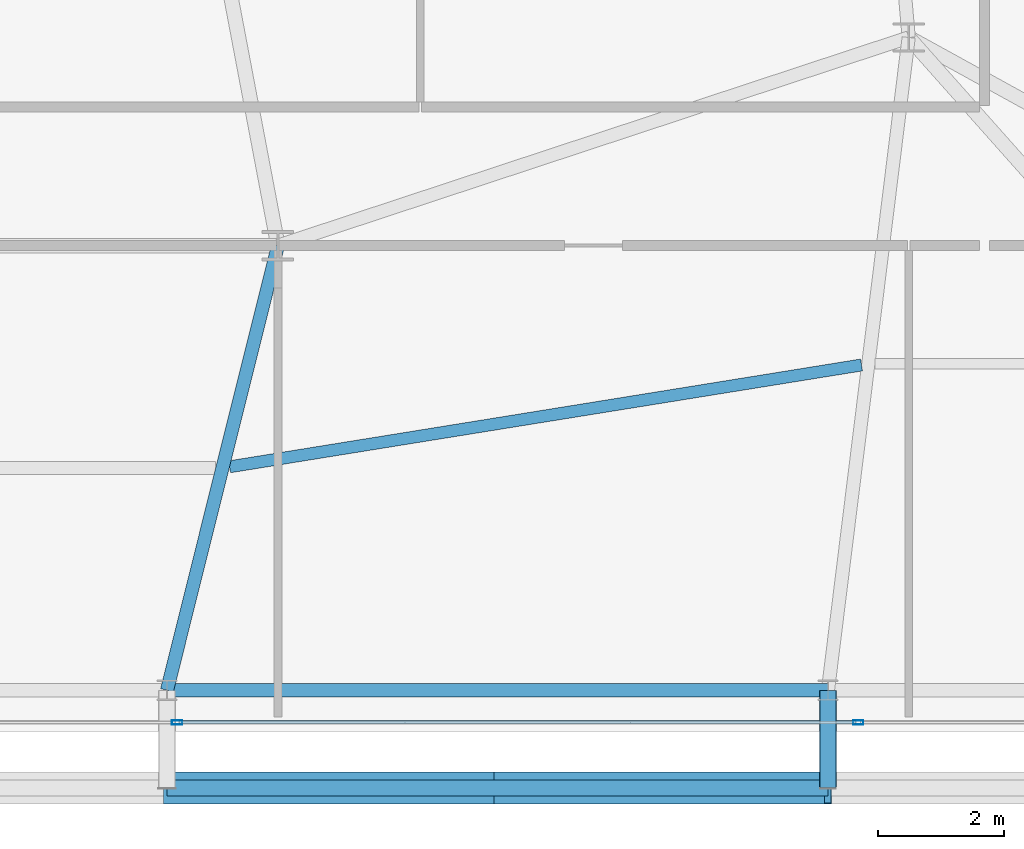
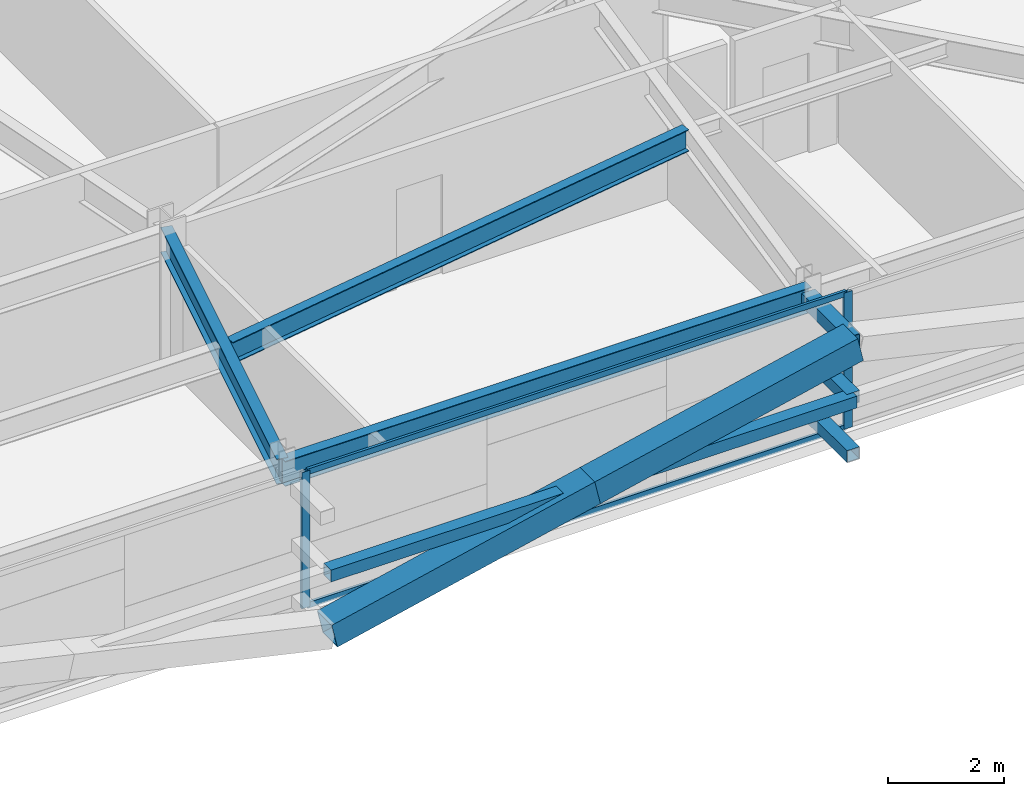
# One storey, part 13 of 45: 10 members, 3 beams, 1 element without a shape of its own.
"""IFC4 building model written with IfcOpenShell, lengths in metres."""

from ifc_helpers import new_model, si_unit, direction, frame, origin, origin_2d, place, context, subcontext, project, spatial, hollow_rectangle, i_section, extrude, source, transform, mapped, material, layer, layer_set, material_profile, profile_set, type_object, element, aggregate, save


model = new_model("IFC4")

# Units and contexts
model_context = context("Model", 3, precision=1e-05, world=origin(), true_north=direction((0.0, 1.0)))
body_context = subcontext(model_context, "Body", "Model", "MODEL_VIEW")
ifc_project = project(units=[si_unit("LENGTHUNIT", "METRE"), si_unit("AREAUNIT", "SQUARE_METRE"), si_unit("VOLUMEUNIT", "CUBIC_METRE"), si_unit("PLANEANGLEUNIT", "RADIAN"), si_unit("MASSUNIT", "GRAM", prefix="KILO")], contexts=[model_context])

# Site, building, storey
site_placement = place(None, origin())
site = spatial("IfcSite", under=ifc_project, at=site_placement, CompositionType="ELEMENT")
building_placement = place(site_placement, origin())
building = spatial("IfcBuilding", under=site, at=building_placement, Name="Taldren Reach Tower", CompositionType="ELEMENT")
storey_placement = place(building_placement, frame((0.0, 0.0, 57.75)))
storey = spatial("IfcBuildingStorey", under=building, at=storey_placement, Name="L17", CompositionType="ELEMENT", Elevation=57.75)

# Beams
ifc_material_1 = material(Name="Steel Gr 350 (350PLUS)", Category="steel")
ifc_material_profile_1 = material_profile(ifc_material_1, i_section(OverallWidth=0.208984375, OverallDepth=0.528076171875, WebThickness=0.009521484375, FlangeThickness=0.01318359375, at=origin_2d()), Name="530UB82.0")
ifc_profile_set_1 = profile_set([ifc_material_profile_1], Name="Steel Gr 350 (350PLUS)")
beam_type_1 = type_object("IfcBeamType", Name="SP-UB530B", PredefinedType="SPANDREL", material=ifc_profile_set_1)
shared_shape_1 = source(origin(), body_context, "Body", "SweptSolid", [
    extrude(i_section(OverallWidth=0.208984375, OverallDepth=0.528076171875, WebThickness=0.009521484375, FlangeThickness=0.01318359375, at=origin_2d()), origin(), (0.0, 0.0, 1.0), 10.47998046875),
])
beam_1_placement = place(storey_placement, frame((40.239990234375, 2.14990234375, 2.60595703125), z_axis=(1.0, 0.0, 0.0), x_axis=(0.0, 1.0, 0.0)))
element("IfcBeam", 1, at=beam_1_placement, inside=storey, type_object=beam_type_1, Name="Perimeter spandrel B1 S4-S5 L17", PredefinedType="SPANDREL", context=body_context, shape_type="MappedRepresentation", body=[
    mapped(shared_shape_1, transform((0.0, 0.0, 0.0), scale=1.0)),
])
ifc_material_profile_2 = material_profile(ifc_material_1, i_section(OverallWidth=0.208984375, OverallDepth=0.532958984375, WebThickness=0.01025390625, FlangeThickness=0.015625, at=origin_2d()), Name="530UB92.4")
ifc_profile_set_2 = profile_set([ifc_material_profile_2], Name="Steel Gr 350 (350PLUS)")
beam_type_2 = type_object("IfcBeamType", Name="BM-UB530A", PredefinedType="BEAM", material=ifc_profile_set_2)
shared_shape_2 = source(origin(), body_context, "Body", "SweptSolid", [
    extrude(i_section(OverallWidth=0.208984375, OverallDepth=0.532958984375, WebThickness=0.01025390625, FlangeThickness=0.015625, at=origin_2d()), origin(), (0.0, 0.0, 1.0), 7.266357421875),
])
beam_2_placement = place(storey_placement, frame((42.0, 9.199951171875, 2.603515625), z_axis=(-0.24221148493, -0.970223477642, 0.0), x_axis=(0.970223477642, -0.24221148493, 0.0)))
element("IfcBeam", 2, at=beam_2_placement, inside=storey, type_object=beam_type_2, Name="Primary floor girder B1-S4 L17", PredefinedType="BEAM", context=body_context, shape_type="MappedRepresentation", body=[
    mapped(shared_shape_2, transform((0.0, 0.0, 0.0), scale=1.0)),
])
ifc_material_profile_3 = material_profile(ifc_material_1, i_section(OverallWidth=0.19091796875, OverallDepth=0.4599609375, WebThickness=0.010009765625, FlangeThickness=0.01611328125, at=origin_2d()), Name="460UB82.1")
ifc_profile_set_3 = profile_set([ifc_material_profile_3], Name="Steel Gr 350 (350PLUS)")
beam_type_3 = type_object("IfcBeamType", Name="BM-UB460A", PredefinedType="BEAM", material=ifc_profile_set_3)
shared_shape_3 = source(origin(), body_context, "Body", "SweptSolid", [
    extrude(i_section(OverallWidth=0.19091796875, OverallDepth=0.4599609375, WebThickness=0.010009765625, FlangeThickness=0.01611328125, at=origin_2d()), origin(), (0.0, 0.0, 1.0), 10.1494140625),
])
beam_3_placement = place(storey_placement, frame((41.232177734375, 5.693115234375, 2.639892578125), z_axis=(0.987266967452, 0.159072106224, 0.0), x_axis=(-0.159072106224, 0.987266967452, 0.0)))
element("IfcBeam", 3, at=beam_3_placement, inside=storey, type_object=beam_type_3, Name="Secondary floor beam B1 J4 L17", PredefinedType="BEAM", context=body_context, shape_type="MappedRepresentation", body=[
    mapped(shared_shape_3, transform((0.0, 0.0, 0.0), scale=1.0)),
])

# Members
ifc_material_2 = material(Name="Steel Gr 450 (C450L0)", Category="steel")
ifc_material_profile_4 = material_profile(ifc_material_2, hollow_rectangle(XDim=0.27490234375, YDim=0.27490234375, WallThickness=0.00927734375, at=origin_2d()), Name="275x275x9.3SHS")
ifc_profile_set_4 = profile_set([ifc_material_profile_4], Name="Steel Gr 450 (C450L0)")
member_type_1 = type_object("IfcMemberType", Name="MB-TIE273", PredefinedType="STRUT", material=ifc_profile_set_4)
shared_shape_4 = source(origin(), body_context, "Body", "SweptSolid", [
    extrude(hollow_rectangle(XDim=0.27490234375, YDim=0.27490234375, WallThickness=0.00927734375, at=origin_2d()), origin(), (0.0, 0.0, 1.0), 1.5498046875),
])
member_1_placement = place(storey_placement, frame((50.719970703125, 2.14990234375, 2.590087890625), z_axis=(0.0, -1.0, 0.0), x_axis=(1.0, 0.0, 0.0)))
element("IfcMember", 4, at=member_1_placement, inside=storey, type_object=member_type_1, Name="Exoskeleton diaphragm tie strut B1-S5 L17", PredefinedType="STRUT", context=body_context, shape_type="MappedRepresentation", body=[
    mapped(shared_shape_4, transform((0.0, 0.0, 0.0), scale=1.0)),
])
ifc_material_3 = material(Name="Steel Gr 350 (C350L0)", Category="steel")
ifc_material_profile_5 = material_profile(ifc_material_3, hollow_rectangle(XDim=0.25, YDim=0.25, WallThickness=0.010009765625, at=origin_2d()), Name="250x250x10.0SHS")
ifc_profile_set_5 = profile_set([ifc_material_profile_5], Name="Steel Gr 350 (C350L0)")
member_type_2 = type_object("IfcMemberType", Name="MB-POST250", PredefinedType="POST", material=ifc_profile_set_5)
shared_shape_5 = source(origin(), body_context, "Body", "SweptSolid", [
    extrude(hollow_rectangle(XDim=0.25, YDim=0.25, WallThickness=0.010009765625, at=origin_2d()), origin(), (0.0, 0.0, 1.0), 10.47998046875),
])
member_2_placement = place(storey_placement, frame((40.239990234375, 0.60009765625, 1.405029296875), z_axis=(1.0, 0.0, 0.0), x_axis=(0.0, 1.0, 0.0)))
element("IfcMember", 5, at=member_2_placement, inside=storey, type_object=member_type_2, Name="Exoskeleton mid-height ring chord B1-S4 L17", PredefinedType="POST", context=body_context, shape_type="MappedRepresentation", body=[
    mapped(shared_shape_5, transform((0.0, 0.0, 0.0), scale=1.0)),
])
shared_shape_6 = source(origin(), body_context, "Body", "SweptSolid", [
    extrude(hollow_rectangle(XDim=0.25, YDim=0.25, WallThickness=0.010009765625, at=origin_2d()), origin(), (0.0, 0.0, 1.0), 1.5498046875),
])
for number, where, z_axis, x_axis, name in (
    (6, (50.719970703125, 2.14990234375, 0.219970703125), (0.0, -1.0, 0.0), (1.0, 0.0, 0.0), "Exoskeleton base diaphragm tie strut B1-S5 L17"),
    (7, (50.719970703125, 2.14990234375, 1.405029296875), (0.0, -1.0, 0.0), (1.0, 0.0, 0.0), "Exoskeleton mid-tier diaphragm tie B1-S5 L17"),
):
    element("IfcMember", number, at=place(storey_placement, frame(where, z_axis=z_axis, x_axis=x_axis)), inside=storey, type_object=member_type_2, Name=name, PredefinedType="POST", context=body_context, shape_type="MappedRepresentation", body=[
        mapped(shared_shape_6, transform((0.0, 0.0, 0.0), scale=1.0)),
    ])
ifc_material_profile_6 = material_profile(ifc_material_2, hollow_rectangle(XDim=0.510009765625, YDim=0.510009765625, WallThickness=0.02001953125, at=origin_2d()), Name="510x510x20.0SHS")
ifc_profile_set_6 = profile_set([ifc_material_profile_6], Name="Steel Gr 450 (C450L0)")
member_type_3 = type_object("IfcMemberType", Name="MB-EXO508", PredefinedType="BRACE", material=ifc_profile_set_6)
shared_shape_7 = source(origin(), body_context, "Body", "SweptSolid", [
    extrude(hollow_rectangle(XDim=0.510009765625, YDim=0.510009765625, WallThickness=0.02001953125, at=origin_2d()), origin(), (0.0, 0.0, 1.0), 5.372314453125),
])
for number, where, z_axis, x_axis, name in (
    (8, (40.239990234375, 0.60009765625, 0.219970703125), (0.975367562392, 0.0, 0.220585852297), (0.0, 1.0, 0.0), "Exoskeleton Diagrid Brace B1-S4 L17"),
    (9, (45.47998046875, 0.60009765625, 1.405029296875), (0.975367562392, 0.0, 0.220585852297), (0.0, 1.0, 0.0), "Exoskeleton Diagrid Brace B1-S4 L17"),
):
    element("IfcMember", number, at=place(storey_placement, frame(where, z_axis=z_axis, x_axis=x_axis)), inside=storey, type_object=member_type_3, Name=name, PredefinedType="BRACE", context=body_context, shape_type="MappedRepresentation", body=[
        mapped(shared_shape_7, transform((0.0, 0.0, 0.0), scale=1.0)),
    ])

# Curtain wall, members
ifc_material_4 = material(Name="Aluminium and Low-E Glass Unitised System", Category="aluminium")
ifc_layer = layer(ifc_material_4, 0.159912109375)
ifc_layer_set = layer_set([ifc_layer], Name="Aluminium and Low-E Glass Unitised System")
curtain_wall_type = type_object("IfcCurtainWallType", Name="CW-SYS-2", PredefinedType="NOTDEFINED", material=ifc_layer_set)
curtain_wall_placement = place(storey_placement, origin())
curtain_wall = element("IfcCurtainWall", 10, at=curtain_wall_placement, inside=storey, type_object=curtain_wall_type, Name="Unitised curtain wall CW-L17-S", PredefinedType="NOTDEFINED")
ifc_material_5 = material(Name="Anodised Aluminium 6063-T6", Category="aluminium")
ifc_material_profile_7 = material_profile(ifc_material_5, hollow_rectangle(XDim=0.054931640625, YDim=0.1201171875, WallThickness=0.0029296875, at=origin_2d()), Name="ALU-120x55x3RHS")
ifc_profile_set_7 = profile_set([ifc_material_profile_7], Name="Anodised Aluminium 6063-T6")
member_type_4 = type_object("IfcMemberType", Name="CW-TRN-135", PredefinedType="USERDEFINED", material=ifc_profile_set_7)
shared_shape_8 = source(origin(), body_context, "Body", "SweptSolid", [
    extrude(hollow_rectangle(XDim=0.054931640625, YDim=0.1201171875, WallThickness=0.0029296875, at=origin_2d()), origin(), (0.0, 0.0, 1.0), 10.73486328125),
])
member_3_placement = place(storey_placement, frame((40.4326171875, 1.639892578125, 0.027587890625), z_axis=(1.0, 0.0, 0.0), x_axis=(0.0, 1.0, 0.0)))
member_3 = element("IfcMember", 11, at=member_3_placement, type_object=member_type_4, Name="CW-2 transom 4.1", ObjectType="TRANSOM", PredefinedType="USERDEFINED", context=body_context, shape_type="MappedRepresentation", body=[
    mapped(shared_shape_8, transform((0.0, 0.0, 0.0), scale=1.0)),
])
member_4_placement = place(storey_placement, frame((40.4326171875, 1.639892578125, 2.842529296875), z_axis=(1.0, 0.0, 0.0), x_axis=(0.0, 1.0, 0.0)))
member_4 = element("IfcMember", 12, at=member_4_placement, type_object=member_type_4, Name="CW-2 transom 4.2", ObjectType="TRANSOM", PredefinedType="USERDEFINED", context=body_context, shape_type="MappedRepresentation", body=[
    mapped(shared_shape_8, transform((0.0, 0.0, 0.0), scale=1.0)),
])
ifc_material_profile_8 = material_profile(ifc_material_5, hollow_rectangle(XDim=0.06494140625, YDim=0.1650390625, WallThickness=0.00390625, at=origin_2d()), Name="ALU-165x65x4RHS")
ifc_profile_set_8 = profile_set([ifc_material_profile_8], Name="Anodised Aluminium 6063-T6")
member_type_5 = type_object("IfcMemberType", Name="CW-MUL-165", PredefinedType="MULLION", material=ifc_profile_set_8)
shared_shape_9 = source(origin(), body_context, "Body", "SweptSolid", [
    extrude(hollow_rectangle(XDim=0.06494140625, YDim=0.1650390625, WallThickness=0.00390625, at=origin_2d()), origin(), (0.0, 0.0, 1.0), 2.8701171875),
])
member_5_placement = place(storey_placement, frame((40.39990234375, 1.639892578125, 0.0), z_axis=(0.0, 0.0, 1.0), x_axis=(0.0, 1.0, 0.0)))
member_5 = element("IfcMember", 13, at=member_5_placement, type_object=member_type_5, Name="CW-2 mullion 4", PredefinedType="MULLION", context=body_context, shape_type="MappedRepresentation", body=[
    mapped(shared_shape_9, transform((0.0, 0.0, 0.0), scale=1.0)),
])
member_6_placement = place(storey_placement, frame((51.199951171875, 1.639892578125, 0.0), z_axis=(0.0, 0.0, 1.0), x_axis=(0.0, 1.0, 0.0)))
member_6 = element("IfcMember", 14, at=member_6_placement, type_object=member_type_5, Name="CW-2 mullion 5", PredefinedType="MULLION", context=body_context, shape_type="MappedRepresentation", body=[
    mapped(shared_shape_9, transform((0.0, 0.0, 0.0), scale=1.0)),
])
aggregate(curtain_wall, [member_5, member_6, member_3, member_4])

save(model, "model.ifc")
